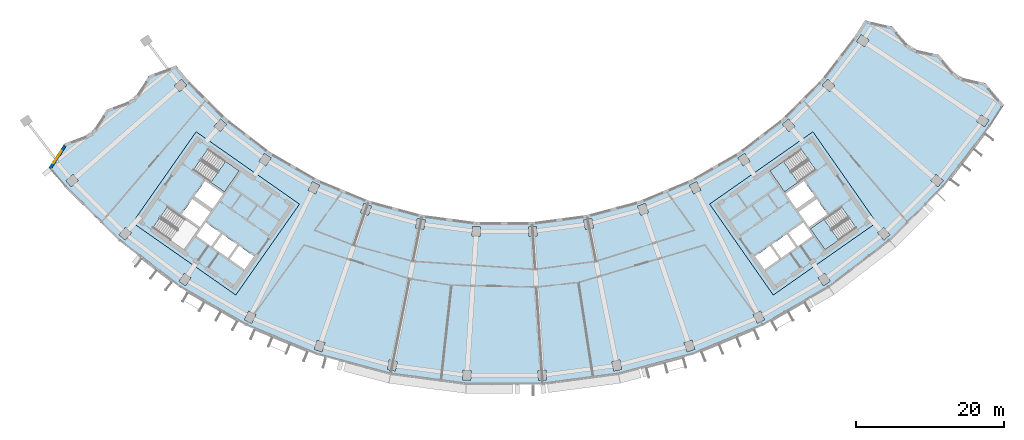
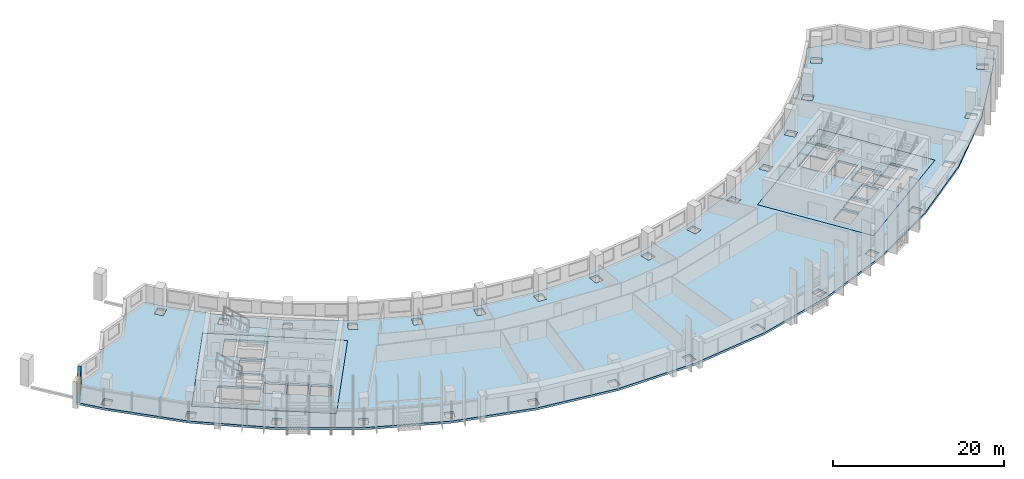
# One storey, part 2 of 27: 6 slabs, 1 wall, 1 window, 1 opening, 3 elements without a shape of their own.
"""IFC4 building model written with IfcOpenShell, lengths in metres."""

from ifc_helpers import new_model, si_unit, direction, frame, frame_2d, origin, place, context, subcontext, project, spatial, polyline, rectangle, outline, extrude, material, layer, layer_set, type_object, element, fill, aggregate, save


model = new_model("IFC4")

# Units and contexts
model_context = context("Model", 3, precision=1e-05, world=origin(), true_north=direction((0.0, 1.0)))
body_context = subcontext(model_context, "Body", "Model", "MODEL_VIEW")
ifc_project = project(units=[si_unit("LENGTHUNIT", "METRE"), si_unit("AREAUNIT", "SQUARE_METRE"), si_unit("VOLUMEUNIT", "CUBIC_METRE"), si_unit("PLANEANGLEUNIT", "RADIAN"), si_unit("MASSUNIT", "GRAM", prefix="KILO")], contexts=[model_context])

# Site, building, storey
site_placement = place(None, origin())
site = spatial("IfcSite", under=ifc_project, at=site_placement, CompositionType="ELEMENT")
building_placement = place(site_placement, origin())
building = spatial("IfcBuilding", under=site, at=building_placement, Name="Qamariyya Broadcast Tower", CompositionType="ELEMENT")
storey_placement = place(building_placement, frame((0.0, 0.0, 187.300048828125)))
storey = spatial("IfcBuildingStorey", under=building, at=storey_placement, Name="L44", CompositionType="ELEMENT", Elevation=187.300048828125)

# Slabs
ifc_material_1 = material(Name="Concrete C40/50", Category="concrete")
ifc_layer_1 = layer(ifc_material_1, 0.300048828125)
ifc_layer_set_1 = layer_set([ifc_layer_1], Name="Core floor slab 300 mm Concrete C40/50")
slab_type_1 = type_object("IfcSlabType", Name="Core floor slab 300 mm Concrete C40/50", PredefinedType="FLOOR", material=ifc_layer_set_1)
slab_1_placement = place(storey_placement, frame((0.0, 0.0, -0.300048828125)))
element("IfcSlab", 1, at=slab_1_placement, inside=storey, type_object=slab_type_1, Name="k-W-L44-slab", PredefinedType="FLOOR", context=body_context, shape_type="SweptSolid", body=[
    extrude(outline(polyline([(-50.286376953125, -56.95751953125), (-36.32373046875, -66.734375), (-27.719970703125, -54.447021484375), (-41.6826171875, -44.67041015625), (-50.286376953125, -56.95751953125)]), holes=[polyline([(-33.87353515625, -61.49169921875), (-35.88037109375, -60.08642578125), (-37.142333984375, -61.888427734375), (-35.13525390625, -63.293701171875), (-33.87353515625, -61.49169921875)]), polyline([(-36.126220703125, -59.914306640625), (-38.133056640625, -58.509033203125), (-39.394775390625, -60.311279296875), (-37.387939453125, -61.716552734375), (-36.126220703125, -59.914306640625)]), polyline([(-38.378662109375, -58.3369140625), (-40.3857421875, -56.931640625), (-41.6474609375, -58.73388671875), (-39.640625, -60.13916015625), (-38.378662109375, -58.3369140625)]), polyline([(-39.742431640625, -55.489990234375), (-42.199951171875, -53.769287109375), (-43.6337890625, -55.817138671875), (-41.17626953125, -57.537841796875), (-39.742431640625, -55.489990234375)]), polyline([(-39.45556640625, -55.080322265625), (-41.9130859375, -53.359619140625), (-40.47900390625, -51.311767578125), (-38.021728515625, -53.032470703125), (-39.45556640625, -55.080322265625)]), polyline([(-42.06103515625, -49.837890625), (-37.849609375, -52.78662109375), (-35.870849609375, -49.960693359375), (-40.082275390625, -47.01171875), (-42.06103515625, -49.837890625)]), polyline([(-47.538818359375, -57.66064453125), (-43.3271484375, -60.609619140625), (-41.348388671875, -57.783447265625), (-45.559814453125, -54.834716796875), (-47.538818359375, -57.66064453125)])]), origin(), (0.0, 0.0, 1.0), 0.300048828125),
])
slab_2_placement = place(storey_placement, frame((0.0, 0.0, -0.300048828125)))
element("IfcSlab", 2, at=slab_2_placement, inside=storey, type_object=slab_type_1, Name="k-E-L44-slab", PredefinedType="FLOOR", context=body_context, shape_type="SweptSolid", body=[
    extrude(outline(polyline([(36.32373046875, -66.734375), (50.286376953125, -56.95751953125), (41.6826171875, -44.67041015625), (27.719970703125, -54.447021484375), (36.32373046875, -66.734375)]), holes=[polyline([(33.87353515625, -61.49169921875), (35.88037109375, -60.08642578125), (37.142333984375, -61.888427734375), (35.13525390625, -63.293701171875), (33.87353515625, -61.49169921875)]), polyline([(36.126220703125, -59.914306640625), (38.133056640625, -58.509033203125), (39.394775390625, -60.311279296875), (37.387939453125, -61.716552734375), (36.126220703125, -59.914306640625)]), polyline([(38.378662109375, -58.3369140625), (40.3857421875, -56.931640625), (41.6474609375, -58.73388671875), (39.640625, -60.13916015625), (38.378662109375, -58.3369140625)]), polyline([(39.742431640625, -55.489990234375), (42.199951171875, -53.769287109375), (43.6337890625, -55.817138671875), (41.17626953125, -57.537841796875), (39.742431640625, -55.489990234375)]), polyline([(39.45556640625, -55.080322265625), (41.9130859375, -53.359619140625), (40.47900390625, -51.311767578125), (38.021728515625, -53.032470703125), (39.45556640625, -55.080322265625)]), polyline([(40.082275390625, -47.01171875), (35.870849609375, -49.960693359375), (37.849609375, -52.78662109375), (42.06103515625, -49.837890625), (40.082275390625, -47.01171875)]), polyline([(45.559814453125, -54.834716796875), (41.348388671875, -57.783447265625), (43.3271484375, -60.609619140625), (47.538818359375, -57.66064453125), (45.559814453125, -54.834716796875)])]), origin(), (0.0, 0.0, 1.0), 0.300048828125),
])
ifc_layer_2 = layer(ifc_material_1, 0.300048828125)
ifc_layer_set_2 = layer_set([ifc_layer_2], Name="Post-tensioned floor slab 300 C40/50")
slab_type_2 = type_object("IfcSlabType", Name="Post-tensioned floor slab 300 C40/50", PredefinedType="FLOOR", material=ifc_layer_set_2)
slab_3_placement = place(storey_placement, frame((0.0, 0.0, -0.300048828125)))
element("IfcSlab", 3, at=slab_3_placement, inside=storey, type_object=slab_type_2, Name="Floor slab S4 L44", PredefinedType="FLOOR", context=body_context, shape_type="SweptSolid", body=[
    extrude(outline(polyline([(-59.4658203125, -46.24853515625), (-61.57958984375, -49.48681640625), (-59.395263671875, -52.08837890625), (-52.08837890625, -59.395263671875), (-43.89013671875, -65.68603515625), (-34.94091796875, -70.85302734375), (-25.393798828125, -74.807373046875), (-15.412109375, -77.48193359375), (-5.166748046875, -78.830810546875), (5.166748046875, -78.830810546875), (15.412109375, -77.48193359375), (25.393798828125, -74.807373046875), (34.94091796875, -70.85302734375), (43.89013671875, -65.68603515625), (52.08837890625, -59.395263671875), (59.395263671875, -52.08837890625), (65.68603515625, -43.89013671875), (67.51220703125, -41.025634765625), (64.99365234375, -38.091064453125), (61.2451171875, -37.21728515625), (58.725830078125, -34.2822265625), (54.978271484375, -33.4091796875), (52.457763671875, -30.473388671875), (48.71142578125, -29.600830078125), (47.393798828125, -31.66748046875), (42.85498046875, -37.582763671875), (37.582763671875, -42.85498046875), (31.66748046875, -47.393798828125), (25.21044921875, -51.121826171875), (18.322021484375, -53.97509765625), (11.1201171875, -55.90478515625), (3.72802734375, -56.8779296875), (-3.72802734375, -56.8779296875), (-11.1201171875, -55.90478515625), (-18.322021484375, -53.97509765625), (-25.21044921875, -51.121826171875), (-31.66748046875, -47.393798828125), (-37.582763671875, -42.85498046875), (-42.85498046875, -37.582763671875), (-44.430908203125, -35.70556640625), (-48.031494140625, -37.059814453125), (-50.147216796875, -40.29931640625), (-53.748779296875, -41.654296875), (-55.863525390625, -44.89306640625), (-59.4658203125, -46.24853515625)]), holes=[polyline([(-5.676513671875, -78.1962890625), (-5.59130859375, -76.89892578125), (-4.49365234375, -76.970947265625), (-4.578857421875, -78.26806640625), (-5.676513671875, -78.1962890625)]), polyline([(-15.83447265625, -76.786376953125), (-15.580810546875, -75.51123046875), (-14.501953125, -75.725830078125), (-14.755615234375, -77.0009765625), (-15.83447265625, -76.786376953125)]), polyline([(-25.7216796875, -74.0625), (-25.3037109375, -72.83154296875), (-24.26220703125, -73.18505859375), (-24.679931640625, -74.416015625), (-25.7216796875, -74.0625)]), polyline([(-35.168701171875, -70.071533203125), (-34.59375, -68.905517578125), (-33.607177734375, -69.39208984375), (-34.18212890625, -70.55810546875), (-35.168701171875, -70.071533203125)]), polyline([(-44.013916015625, -64.881591796875), (-43.291748046875, -63.80078125), (-42.377197265625, -64.411865234375), (-43.099365234375, -65.49267578125), (-44.013916015625, -64.881591796875)]), polyline([(-52.106201171875, -58.58154296875), (-51.2490234375, -57.604248046875), (-50.422119140625, -58.32958984375), (-51.279296875, -59.306884765625), (-52.106201171875, -58.58154296875)]), polyline([(-4.401123046875, -58.738037109375), (-4.316162109375, -57.440673828125), (-3.218505859375, -57.5126953125), (-3.303466796875, -58.809814453125), (-4.401123046875, -58.738037109375)]), polyline([(-12.0302734375, -57.660888671875), (-11.776611328125, -56.385986328125), (-10.69775390625, -56.6005859375), (-10.951416015625, -57.87548828125), (-12.0302734375, -57.660888671875)]), polyline([(-50.286376953125, -56.95751953125), (-41.6826171875, -44.67041015625), (-27.719970703125, -54.447021484375), (-36.32373046875, -66.734375), (-50.286376953125, -56.95751953125)]), polyline([(-19.45361328125, -55.597412109375), (-19.03564453125, -54.366455078125), (-17.994140625, -54.719970703125), (-18.411865234375, -55.950927734375), (-19.45361328125, -55.597412109375)]), polyline([(-26.544189453125, -52.58251953125), (-25.968994140625, -51.41650390625), (-24.982666015625, -51.903076171875), (-25.5576171875, -53.069091796875), (-26.544189453125, -52.58251953125)]), polyline([(-59.306884765625, -51.279296875), (-58.32958984375, -50.422119140625), (-57.604248046875, -51.2490234375), (-58.58154296875, -52.106201171875), (-59.306884765625, -51.279296875)]), polyline([(-33.180419921875, -48.66796875), (-32.458251953125, -47.587158203125), (-31.54345703125, -48.1982421875), (-32.265869140625, -49.279052734375), (-33.180419921875, -48.66796875)]), polyline([(-39.2490234375, -43.920654296875), (-38.391845703125, -42.943359375), (-37.564697265625, -43.668701171875), (-38.421875, -44.64599609375), (-39.2490234375, -43.920654296875)]), polyline([(-43.668701171875, -37.564697265625), (-42.943359375, -38.391845703125), (-43.920654296875, -39.2490234375), (-44.64599609375, -38.421875), (-43.668701171875, -37.564697265625)]), polyline([(4.578857421875, -78.26806640625), (4.49365234375, -76.970947265625), (5.59130859375, -76.89892578125), (5.676513671875, -78.1962890625), (4.578857421875, -78.26806640625)]), polyline([(14.755615234375, -77.0009765625), (14.501953125, -75.725830078125), (15.580810546875, -75.51123046875), (15.83447265625, -76.786376953125), (14.755615234375, -77.0009765625)]), polyline([(24.679931640625, -74.416015625), (24.26220703125, -73.18505859375), (25.3037109375, -72.83154296875), (25.7216796875, -74.0625), (24.679931640625, -74.416015625)]), polyline([(34.18212890625, -70.55810546875), (33.607177734375, -69.39208984375), (34.59375, -68.905517578125), (35.168701171875, -70.071533203125), (34.18212890625, -70.55810546875)]), polyline([(43.099365234375, -65.49267578125), (42.377197265625, -64.411865234375), (43.291748046875, -63.80078125), (44.013916015625, -64.881591796875), (43.099365234375, -65.49267578125)]), polyline([(51.279296875, -59.306884765625), (50.422119140625, -58.32958984375), (51.2490234375, -57.604248046875), (52.106201171875, -58.58154296875), (51.279296875, -59.306884765625)]), polyline([(3.303466796875, -58.809814453125), (3.218505859375, -57.5126953125), (4.316162109375, -57.440673828125), (4.401123046875, -58.738037109375), (3.303466796875, -58.809814453125)]), polyline([(10.951416015625, -57.87548828125), (10.69775390625, -56.6005859375), (11.776611328125, -56.385986328125), (12.0302734375, -57.660888671875), (10.951416015625, -57.87548828125)]), polyline([(36.32373046875, -66.734375), (27.719970703125, -54.447021484375), (41.6826171875, -44.67041015625), (50.286376953125, -56.95751953125), (36.32373046875, -66.734375)]), polyline([(18.411865234375, -55.950927734375), (17.994140625, -54.719970703125), (19.03564453125, -54.366455078125), (19.45361328125, -55.597412109375), (18.411865234375, -55.950927734375)]), polyline([(25.5576171875, -53.069091796875), (24.982666015625, -51.903076171875), (25.968994140625, -51.41650390625), (26.544189453125, -52.58251953125), (25.5576171875, -53.069091796875)]), polyline([(58.58154296875, -52.106201171875), (57.604248046875, -51.2490234375), (58.32958984375, -50.422119140625), (59.306884765625, -51.279296875), (58.58154296875, -52.106201171875)]), polyline([(32.265869140625, -49.279052734375), (31.54345703125, -48.1982421875), (32.458251953125, -47.587158203125), (33.180419921875, -48.66796875), (32.265869140625, -49.279052734375)]), polyline([(38.421875, -44.64599609375), (37.564697265625, -43.668701171875), (38.391845703125, -42.943359375), (39.2490234375, -43.920654296875), (38.421875, -44.64599609375)]), polyline([(64.881591796875, -44.013916015625), (63.80078125, -43.291748046875), (64.411865234375, -42.377197265625), (65.49267578125, -43.099365234375), (64.881591796875, -44.013916015625)]), polyline([(42.943359375, -38.391845703125), (43.668701171875, -37.564697265625), (44.64599609375, -38.421875), (43.920654296875, -39.2490234375), (42.943359375, -38.391845703125)]), polyline([(47.587158203125, -32.458251953125), (48.1982421875, -31.54345703125), (49.279052734375, -32.265869140625), (48.66796875, -33.180419921875), (47.587158203125, -32.458251953125)])]), origin(), (0.0, 0.0, 1.0), 0.300048828125),
])

# Stair, slab
ifc_material_2 = material(Name="Concrete C50/60", Category="concrete")
stair_type = type_object("IfcStairType", Name="Exit stair 22 risers of 173 mm", PredefinedType="HALF_TURN_STAIR", material=ifc_material_2)
stair_1_placement = place(storey_placement, origin())
stair_1 = element("IfcStair", 4, at=stair_1_placement, inside=storey, type_object=stair_type, Name="L44 Stair W2", PredefinedType="HALF_TURN_STAIR")
ifc_layer_3 = layer(ifc_material_2, 0.199951171875)
ifc_layer_set_3 = layer_set([ifc_layer_3], Name="Stair landing")
slab_type_3 = type_object("IfcSlabType", Name="Stair landing", PredefinedType="LANDING", material=ifc_layer_set_3)
slab_4_placement = place(storey_placement, frame((0.0, 0.0, 1.699951171875)))
slab_4 = element("IfcSlab", 5, at=slab_4_placement, type_object=slab_type_3, Name="ST-W2 landing 1", PredefinedType="LANDING", context=body_context, shape_type="SweptSolid", body=[
    extrude(outline(polyline([(-39.692138671875, -51.49658203125), (-37.849609375, -52.78662109375), (-35.870849609375, -49.960693359375), (-37.71337890625, -48.67041015625), (-39.692138671875, -51.49658203125)])), origin(), (0.0, 0.0, 1.0), 0.199951171875),
])
aggregate(stair_1, [slab_4])

stair_2_placement = place(storey_placement, origin())
stair_2 = element("IfcStair", 6, at=stair_2_placement, inside=storey, type_object=stair_type, Name="L44 Stair E2", PredefinedType="HALF_TURN_STAIR")
slab_5_placement = place(storey_placement, frame((0.0, 0.0, 1.699951171875)))
slab_5 = element("IfcSlab", 7, at=slab_5_placement, type_object=slab_type_3, Name="ST-E2 landing 1", PredefinedType="LANDING", context=body_context, shape_type="SweptSolid", body=[
    extrude(outline(polyline([(37.71337890625, -48.67041015625), (35.870849609375, -49.960693359375), (37.849609375, -52.78662109375), (39.692138671875, -51.49658203125), (37.71337890625, -48.67041015625)])), origin(), (0.0, 0.0, 1.0), 0.199951171875),
])
aggregate(stair_2, [slab_5])

stair_3_placement = place(storey_placement, origin())
stair_3 = element("IfcStair", 8, at=stair_3_placement, inside=storey, type_object=stair_type, Name="L44 Stair E1", PredefinedType="HALF_TURN_STAIR")
slab_6_placement = place(storey_placement, frame((0.0, 0.0, 1.699951171875)))
slab_6 = element("IfcSlab", 9, at=slab_6_placement, type_object=slab_type_3, Name="ST-E1 landing 1", PredefinedType="LANDING", context=body_context, shape_type="SweptSolid", body=[
    extrude(outline(polyline([(43.19091796875, -56.493408203125), (41.348388671875, -57.783447265625), (43.3271484375, -60.609619140625), (45.169677734375, -59.319580078125), (43.19091796875, -56.493408203125)])), origin(), (0.0, 0.0, 1.0), 0.199951171875),
])
aggregate(stair_3, [slab_6])

# Wall, opening, window
ifc_material_3 = material(Name="Terracotta", Category="masonry")
ifc_layer_4 = layer(ifc_material_3, 0.39990234375)
ifc_layer_set_4 = layer_set([ifc_layer_4], Name="Terracotta clad wall 400")
wall_type = type_object("IfcWallType", Name="Terracotta clad wall 400", PredefinedType="SOLIDWALL", material=ifc_layer_set_4)
wall_placement = place(storey_placement, frame((-59.451416015625, -46.592529296875, 0.0), z_axis=(0.0, 0.0, 1.0), x_axis=(-0.546616535138, -0.837383044678, 0.0)))
wall = element("IfcWall", 10, at=wall_placement, inside=storey, type_object=wall_type, Name="e-wl-L44-capW5", PredefinedType="SOLIDWALL", context=body_context, shape_type="SweptSolid", body=[
    extrude(rectangle(XDim=3.5869140625, YDim=0.39990234375, at=frame_2d((1.79345703125, 0.0))), origin(), (0.0, 0.0, 1.0), 2.699951171875),
])
opening_placement = place(wall_placement, frame((0.79345703125, 0.0, 0.89990234375)))
opening = element("IfcOpeningElement", 11, at=opening_placement, cuts=wall, Name="Opening W4", PredefinedType="OPENING", context=body_context, shape_type="SweptSolid", body=[
    extrude(rectangle(XDim=2.0, YDim=1.5, at=frame_2d((1.0, 0.75))), frame((0.0, 0.2099609375, 0.0), z_axis=(0.0, -1.0, 0.0), x_axis=(1.0, 0.0, 0.0)), (0.0, 0.0, 1.0), 0.419921875),
])
ifc_material_4 = material(Name="Clear low-e double glazed unit in aluminium frame", Category="aluminium")
window_type = type_object("IfcWindowType", Name="Horn bay window 2000 x 1500", PartitioningType="SINGLE_PANEL", PredefinedType="WINDOW", material=ifc_material_4)
window_placement = place(opening_placement, origin())
window = element("IfcWindow", 12, at=window_placement, inside=storey, type_object=window_type, Name="e-w-L44-capW5", OverallHeight=1.5, OverallWidth=2.0, PartitioningType="SINGLE_PANEL", PredefinedType="WINDOW", context=body_context, shape_type="SweptSolid", body=[
    extrude(rectangle(XDim=2.0, YDim=1.5, at=frame_2d((1.0, 0.75))), frame((0.0, 0.030029296875, 0.0), z_axis=(0.0, -1.0, 0.0), x_axis=(1.0, 0.0, 0.0)), (0.0, 0.0, 1.0), 0.06005859375),
])
fill(opening, window)

save(model, "model.ifc")
